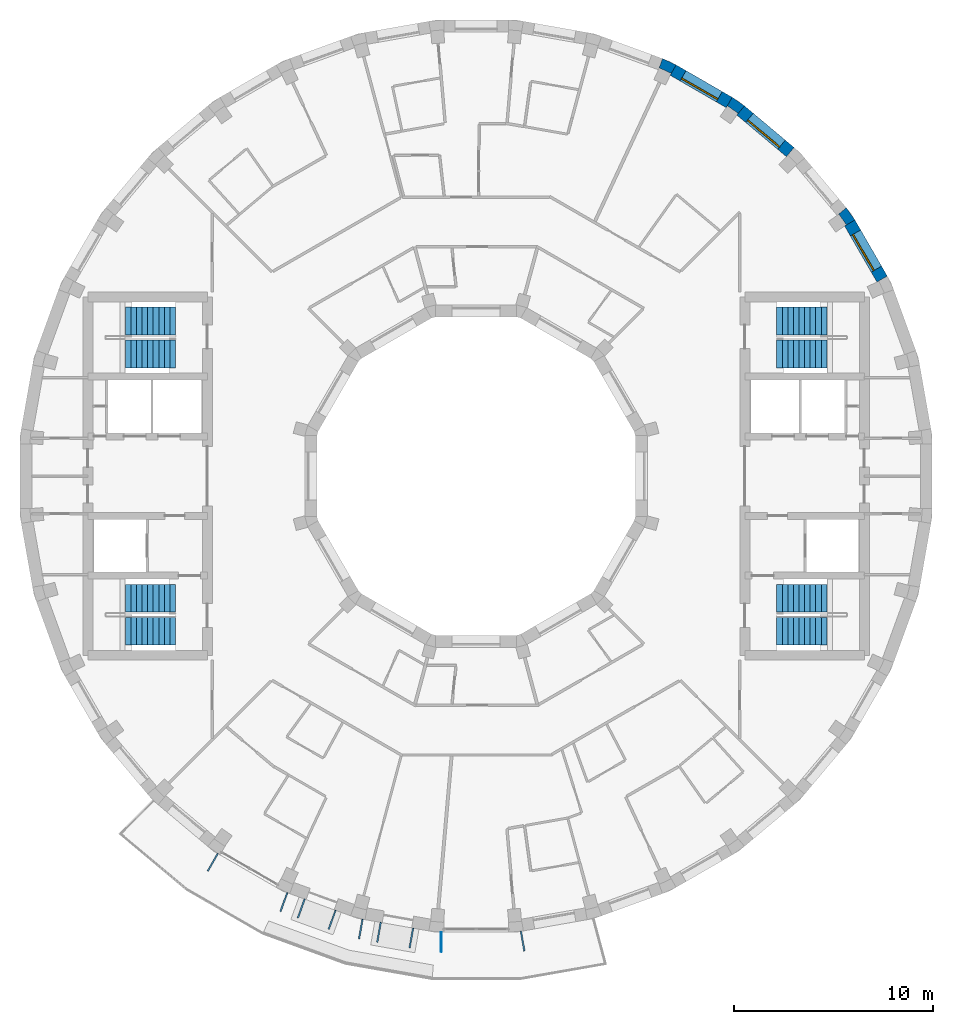
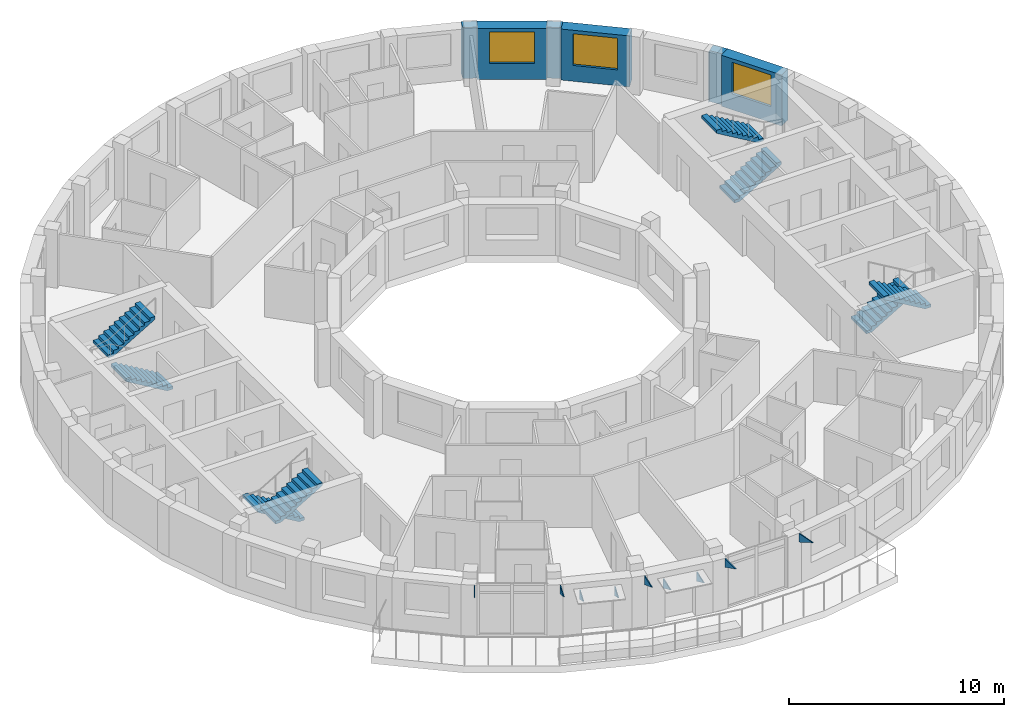
# One storey, part 11 of 12: 9 discrete accessories, 8 stair flights, 6 walls, 3 windows, 3 openings, 4 elements without a shape of their own.
"""IFC4 building model written with IfcOpenShell, lengths in metres."""

from ifc_helpers import new_model, si_unit, direction, frame, frame_2d, origin, place, context, subcontext, project, spatial, polyline, rectangle, outline, extrude, material, layer, layer_set, type_object, element, fill, aggregate, save


model = new_model("IFC4")

# Units and contexts
model_context = context("Model", 3, precision=1e-05, world=origin(), true_north=direction((0.0, 1.0)))
body_context = subcontext(model_context, "Body", "Model", "MODEL_VIEW")
ifc_project = project(units=[si_unit("LENGTHUNIT", "METRE"), si_unit("AREAUNIT", "SQUARE_METRE"), si_unit("VOLUMEUNIT", "CUBIC_METRE"), si_unit("PLANEANGLEUNIT", "RADIAN"), si_unit("MASSUNIT", "GRAM", prefix="KILO")], contexts=[model_context])

# Site, building, storey
site_placement = place(None, origin())
site = spatial("IfcSite", under=ifc_project, at=site_placement, CompositionType="ELEMENT")
building_placement = place(site_placement, origin())
building = spatial("IfcBuilding", under=site, at=building_placement, Name="Saqina Gate Tower", CompositionType="ELEMENT")
storey_placement = place(building_placement, frame((0.0, 0.0, 272.60009765625)))
storey = spatial("IfcBuildingStorey", under=building, at=storey_placement, Name="L78", CompositionType="ELEMENT", Elevation=272.60009765625)

# Walls
ifc_material_1 = material(Name="Brick masonry (buff)", Category="masonry")
wall_type_1 = type_object("IfcWallType", Name="BRICK PIER COPING BUFF", PredefinedType="SOLIDWALL", material=ifc_material_1)
wall_1_placement = place(storey_placement, origin())
element("IfcWall", 1, at=wall_1_placement, inside=storey, type_object=wall_type_1, Name="Pier cap L78 column 4", PredefinedType="SOLIDWALL", context=body_context, shape_type="SweptSolid", body=[
    extrude(outline(polyline([(19.02978515625, 12.8642578125), (18.59716796875, 13.482421875), (18.137451171875, 13.0966796875), (18.22412109375, 13.157470703125), (18.596923828125, 12.625), (18.51025390625, 12.564208984375), (19.02978515625, 12.8642578125)])), origin(), (0.0, 0.0, 1.0), 2.89990234375),
])
wall_2_placement = place(storey_placement, origin())
element("IfcWall", 2, at=wall_2_placement, inside=storey, type_object=wall_type_1, Name="Pier cap L78 column 6", PredefinedType="SOLIDWALL", context=body_context, shape_type="SweptSolid", body=[
    extrude(outline(polyline([(12.8642578125, 19.02978515625), (12.564208984375, 18.51025390625), (12.625, 18.596923828125), (13.157470703125, 18.22412109375), (13.0966796875, 18.137451171875), (13.482421875, 18.59716796875), (12.8642578125, 19.02978515625)])), origin(), (0.0, 0.0, 1.0), 2.89990234375),
])
wall_3_placement = place(storey_placement, origin())
element("IfcWall", 3, at=wall_3_placement, inside=storey, type_object=wall_type_1, Name="Pier cap L78 column 7", PredefinedType="SOLIDWALL", context=body_context, shape_type="SweptSolid", body=[
    extrude(outline(polyline([(10.048095703125, 20.65576171875), (9.3642578125, 20.974609375), (9.1591796875, 20.410888671875), (9.203857421875, 20.506591796875), (9.79296875, 20.23193359375), (9.748291015625, 20.135986328125), (10.048095703125, 20.65576171875)])), origin(), (0.0, 0.0, 1.0), 2.89990234375),
])

# Wall, opening, window
ifc_material_2 = material(Name="Brick masonry (buff)", Category="masonry")
ifc_layer_1 = layer(ifc_material_2, 0.60009765625)
ifc_layer_set_1 = layer_set([ifc_layer_1], Name="FW-BRICK-BUFF")
wall_type_2 = type_object("IfcWallType", Name="FW-BRICK-BUFF", PredefinedType="SOLIDWALL", material=ifc_layer_set_1)
wall_4_placement = place(storey_placement, frame((20.39599609375, 9.898193359375, 0.0), z_axis=(0.0, 0.0, 1.0), x_axis=(-0.500014901547, 0.866016800201, 0.0)))
wall_4 = element("IfcWall", 4, at=wall_4_placement, inside=storey, type_object=wall_type_2, Name="Facade wall L78 facet 3", PredefinedType="SOLIDWALL", context=body_context, shape_type="SweptSolid", body=[
    extrude(rectangle(XDim=3.251953125, YDim=0.60009765625, at=frame_2d((1.6259765625, 0.0))), origin(), (0.0, 0.0, 1.0), 2.89990234375),
])
opening_1_placement = place(wall_4_placement, frame((0.57568359375, 0.0, 0.89990234375)))
opening_1 = element("IfcOpeningElement", 5, at=opening_1_placement, cuts=wall_4, Name="Opening G23-W01", PredefinedType="OPENING", context=body_context, shape_type="SweptSolid", body=[
    extrude(rectangle(XDim=2.10009765625, YDim=1.800048828125, at=frame_2d((1.050048828125, 0.89990234375))), frame((0.0, 0.31201171875, 0.0), z_axis=(0.0, -1.0, 0.0), x_axis=(1.0, 0.0, 0.0)), (0.0, 0.0, 1.0), 0.6240234375),
])
ifc_material_3 = material(Name="Aluminium glazing", Category="aluminium")
window_type = type_object("IfcWindowType", Name="WN-D", PartitioningType="SINGLE_PANEL", PredefinedType="WINDOW", material=ifc_material_3)
window_1_placement = place(opening_1_placement, origin())
window_1 = element("IfcWindow", 6, at=window_1_placement, inside=storey, type_object=window_type, Name="Window L78 facet 3", OverallHeight=1.800048828125, OverallWidth=2.10009765625, PartitioningType="SINGLE_PANEL", PredefinedType="WINDOW", context=body_context, shape_type="SweptSolid", body=[
    extrude(rectangle(XDim=2.10009765625, YDim=1.800048828125, at=frame_2d((1.050048828125, 0.89990234375))), frame((0.0, 0.179931640625, 0.0), z_axis=(0.0, -1.0, 0.0), x_axis=(1.0, 0.0, 0.0)), (0.0, 0.0, 1.0), 0.06005859375),
])
fill(opening_1, window_1)

wall_5_placement = place(storey_placement, frame((15.780517578125, 16.277099609375, 0.0), z_axis=(0.0, 0.0, 1.0), x_axis=(-0.766056773982, 0.64277291405, 0.0)))
wall_5 = element("IfcWall", 7, at=wall_5_placement, inside=storey, type_object=wall_type_2, Name="Facade wall L78 facet 5", PredefinedType="SOLIDWALL", context=body_context, shape_type="SweptSolid", body=[
    extrude(rectangle(XDim=3.251708984375, YDim=0.60009765625, at=frame_2d((1.6259765625, 0.0))), origin(), (0.0, 0.0, 1.0), 2.89990234375),
])
opening_2_placement = place(wall_5_placement, frame((0.57568359375, 0.0, 0.89990234375)))
opening_2 = element("IfcOpeningElement", 8, at=opening_2_placement, cuts=wall_5, Name="Opening G23-W03", PredefinedType="OPENING", context=body_context, shape_type="SweptSolid", body=[
    extrude(rectangle(XDim=2.10009765625, YDim=1.800048828125, at=frame_2d((1.050048828125, 0.89990234375))), frame((0.0, 0.31201171875, 0.0), z_axis=(0.0, -1.0, 0.0), x_axis=(1.0, 0.0, 0.0)), (0.0, 0.0, 1.0), 0.6240234375),
])
window_2_placement = place(opening_2_placement, origin())
window_2 = element("IfcWindow", 9, at=window_2_placement, inside=storey, type_object=window_type, Name="Window L78 facet 5", OverallHeight=1.800048828125, OverallWidth=2.10009765625, PartitioningType="SINGLE_PANEL", PredefinedType="WINDOW", context=body_context, shape_type="SweptSolid", body=[
    extrude(rectangle(XDim=2.10009765625, YDim=1.800048828125, at=frame_2d((1.050048828125, 0.89990234375))), frame((0.0, 0.179931640625, 0.0), z_axis=(0.0, -1.0, 0.0), x_axis=(1.0, 0.0, 0.0)), (0.0, 0.0, 1.0), 0.06005859375),
])
fill(opening_2, window_2)

wall_6_placement = place(storey_placement, frame((12.71435546875, 18.77001953125, 0.0), z_axis=(0.0, 0.0, 1.0), x_axis=(-0.866016800201, 0.500014901547, 0.0)))
wall_6 = element("IfcWall", 10, at=wall_6_placement, inside=storey, type_object=wall_type_2, Name="Facade wall L78 facet 6", PredefinedType="SOLIDWALL", context=body_context, shape_type="SweptSolid", body=[
    extrude(rectangle(XDim=3.251953125, YDim=0.60009765625, at=frame_2d((1.6259765625, 0.0))), origin(), (0.0, 0.0, 1.0), 2.89990234375),
])
opening_3_placement = place(wall_6_placement, frame((0.57568359375, 0.0, 0.89990234375)))
opening_3 = element("IfcOpeningElement", 11, at=opening_3_placement, cuts=wall_6, Name="Opening G23-W04", PredefinedType="OPENING", context=body_context, shape_type="SweptSolid", body=[
    extrude(rectangle(XDim=2.10009765625, YDim=1.800048828125, at=frame_2d((1.050048828125, 0.89990234375))), frame((0.0, 0.31201171875, 0.0), z_axis=(0.0, -1.0, 0.0), x_axis=(1.0, 0.0, 0.0)), (0.0, 0.0, 1.0), 0.6240234375),
])
window_3_placement = place(opening_3_placement, origin())
window_3 = element("IfcWindow", 12, at=window_3_placement, inside=storey, type_object=window_type, Name="Window L78 facet 6", OverallHeight=1.800048828125, OverallWidth=2.10009765625, PartitioningType="SINGLE_PANEL", PredefinedType="WINDOW", context=body_context, shape_type="SweptSolid", body=[
    extrude(rectangle(XDim=2.10009765625, YDim=1.800048828125, at=frame_2d((1.050048828125, 0.89990234375))), frame((0.0, 0.179931640625, 0.0), z_axis=(0.0, -1.0, 0.0), x_axis=(1.0, 0.0, 0.0)), (0.0, 0.0, 1.0), 0.06005859375),
])
fill(opening_3, window_3)

# Stair, stair flights
ifc_material_4 = material(Name="Concrete C40/50", Category="concrete")
stair_type = type_object("IfcStairType", Name="EXIT STAIR", PredefinedType="HALF_TURN_STAIR", material=ifc_material_4)
stair_1_placement = place(storey_placement, origin())
stair_1 = element("IfcStair", 13, at=stair_1_placement, inside=storey, type_object=stair_type, Name="EXIT STAIR 1", PredefinedType="HALF_TURN_STAIR")
ifc_material_5 = material(Name="Concrete C40/50", Category="concrete")
stair_flight_type = type_object("IfcStairFlightType", Name="EXIT STAIR FLIGHT", PredefinedType="STRAIGHT", material=ifc_material_5)
stair_flight_1_placement = place(storey_placement, frame((15.10009765625, 6.13330078125, 0.0), z_axis=(0.0, 0.0, 1.0), x_axis=(1.0, 0.0, 0.0)))
stair_flight_1 = element("IfcStairFlight", 14, at=stair_flight_1_placement, type_object=stair_flight_type, Name="EXIT STAIR 1 FLIGHT 1", NumberOfRisers=10, NumberOfTreads=9, PredefinedType="STRAIGHT", RiserHeight=0.165, TreadLength=0.28, context=body_context, shape_type="SweptSolid", body=[
    extrude(outline(polyline([(0.0, 0.0), (0.0, 0.1650390625), (0.280029296875, 0.1650390625), (0.280029296875, 0.330078125), (0.56005859375, 0.330078125), (0.56005859375, 0.4951171875), (0.840087890625, 0.4951171875), (0.840087890625, 0.659912109375), (1.1201171875, 0.659912109375), (1.1201171875, 0.824951171875), (1.39990234375, 0.824951171875), (1.39990234375, 0.989990234375), (1.679931640625, 0.989990234375), (1.679931640625, 1.155029296875), (1.9599609375, 1.155029296875), (1.9599609375, 1.320068359375), (2.239990234375, 1.320068359375), (2.239990234375, 1.485107421875), (2.52001953125, 1.485107421875), (2.52001953125, 1.64990234375), (2.52001953125, 1.31103515625), (0.295166015625, 0.0), (0.0, 0.0)])), frame((0.0, 0.699951171875, 0.0), z_axis=(0.0, -1.0, 0.0), x_axis=(1.0, 0.0, 0.0)), (0.0, 0.0, 1.0), 1.39990234375),
])
stair_flight_2_placement = place(storey_placement, frame((17.6201171875, 7.791748046875, 1.64990234375), z_axis=(0.0, 0.0, 1.0), x_axis=(-1.0, 0.0, 0.0)))
stair_flight_2 = element("IfcStairFlight", 15, at=stair_flight_2_placement, type_object=stair_flight_type, Name="EXIT STAIR 1 FLIGHT 2", NumberOfRisers=10, NumberOfTreads=9, PredefinedType="STRAIGHT", RiserHeight=0.165, TreadLength=0.28, context=body_context, shape_type="SweptSolid", body=[
    extrude(outline(polyline([(0.0, 0.0), (0.0, 0.1650390625), (0.280029296875, 0.1650390625), (0.280029296875, 0.330078125), (0.56005859375, 0.330078125), (0.56005859375, 0.4951171875), (0.840087890625, 0.4951171875), (0.840087890625, 0.659912109375), (1.1201171875, 0.659912109375), (1.1201171875, 0.824951171875), (1.39990234375, 0.824951171875), (1.39990234375, 0.989990234375), (1.679931640625, 0.989990234375), (1.679931640625, 1.155029296875), (1.9599609375, 1.155029296875), (1.9599609375, 1.320068359375), (2.239990234375, 1.320068359375), (2.239990234375, 1.485107421875), (2.52001953125, 1.485107421875), (2.52001953125, 1.64990234375), (2.52001953125, 1.31103515625), (0.295166015625, 0.0), (0.0, 0.0)])), frame((0.0, 0.699951171875, 0.0), z_axis=(0.0, -1.0, 0.0), x_axis=(1.0, 0.0, 0.0)), (0.0, 0.0, 1.0), 1.39990234375),
])
aggregate(stair_1, [stair_flight_1, stair_flight_2])

stair_2_placement = place(storey_placement, origin())
stair_2 = element("IfcStair", 16, at=stair_2_placement, inside=storey, type_object=stair_type, Name="EXIT STAIR 2", PredefinedType="HALF_TURN_STAIR")
stair_flight_3_placement = place(storey_placement, frame((15.10009765625, -6.13330078125, 0.0), z_axis=(0.0, 0.0, 1.0), x_axis=(1.0, 0.0, 0.0)))
stair_flight_3 = element("IfcStairFlight", 17, at=stair_flight_3_placement, type_object=stair_flight_type, Name="EXIT STAIR 2 FLIGHT 1", NumberOfRisers=10, NumberOfTreads=9, PredefinedType="STRAIGHT", RiserHeight=0.165, TreadLength=0.28, context=body_context, shape_type="SweptSolid", body=[
    extrude(outline(polyline([(0.0, 0.0), (0.0, 0.1650390625), (0.280029296875, 0.1650390625), (0.280029296875, 0.330078125), (0.56005859375, 0.330078125), (0.56005859375, 0.4951171875), (0.840087890625, 0.4951171875), (0.840087890625, 0.659912109375), (1.1201171875, 0.659912109375), (1.1201171875, 0.824951171875), (1.39990234375, 0.824951171875), (1.39990234375, 0.989990234375), (1.679931640625, 0.989990234375), (1.679931640625, 1.155029296875), (1.9599609375, 1.155029296875), (1.9599609375, 1.320068359375), (2.239990234375, 1.320068359375), (2.239990234375, 1.485107421875), (2.52001953125, 1.485107421875), (2.52001953125, 1.64990234375), (2.52001953125, 1.31103515625), (0.295166015625, 0.0), (0.0, 0.0)])), frame((0.0, 0.699951171875, 0.0), z_axis=(0.0, -1.0, 0.0), x_axis=(1.0, 0.0, 0.0)), (0.0, 0.0, 1.0), 1.39990234375),
])
stair_flight_4_placement = place(storey_placement, frame((17.6201171875, -7.791748046875, 1.64990234375), z_axis=(0.0, 0.0, 1.0), x_axis=(-1.0, 0.0, 0.0)))
stair_flight_4 = element("IfcStairFlight", 18, at=stair_flight_4_placement, type_object=stair_flight_type, Name="EXIT STAIR 2 FLIGHT 2", NumberOfRisers=10, NumberOfTreads=9, PredefinedType="STRAIGHT", RiserHeight=0.165, TreadLength=0.28, context=body_context, shape_type="SweptSolid", body=[
    extrude(outline(polyline([(0.0, 0.0), (0.0, 0.1650390625), (0.280029296875, 0.1650390625), (0.280029296875, 0.330078125), (0.56005859375, 0.330078125), (0.56005859375, 0.4951171875), (0.840087890625, 0.4951171875), (0.840087890625, 0.659912109375), (1.1201171875, 0.659912109375), (1.1201171875, 0.824951171875), (1.39990234375, 0.824951171875), (1.39990234375, 0.989990234375), (1.679931640625, 0.989990234375), (1.679931640625, 1.155029296875), (1.9599609375, 1.155029296875), (1.9599609375, 1.320068359375), (2.239990234375, 1.320068359375), (2.239990234375, 1.485107421875), (2.52001953125, 1.485107421875), (2.52001953125, 1.64990234375), (2.52001953125, 1.31103515625), (0.295166015625, 0.0), (0.0, 0.0)])), frame((0.0, 0.699951171875, 0.0), z_axis=(0.0, -1.0, 0.0), x_axis=(1.0, 0.0, 0.0)), (0.0, 0.0, 1.0), 1.39990234375),
])
aggregate(stair_2, [stair_flight_3, stair_flight_4])

stair_3_placement = place(storey_placement, origin())
stair_3 = element("IfcStair", 19, at=stair_3_placement, inside=storey, type_object=stair_type, Name="EXIT STAIR 3", PredefinedType="HALF_TURN_STAIR")
stair_flight_5_placement = place(storey_placement, frame((-15.10009765625, 6.13330078125, 0.0), z_axis=(0.0, 0.0, 1.0), x_axis=(-1.0, 0.0, 0.0)))
stair_flight_5 = element("IfcStairFlight", 20, at=stair_flight_5_placement, type_object=stair_flight_type, Name="EXIT STAIR 3 FLIGHT 1", NumberOfRisers=10, NumberOfTreads=9, PredefinedType="STRAIGHT", RiserHeight=0.165, TreadLength=0.28, context=body_context, shape_type="SweptSolid", body=[
    extrude(outline(polyline([(0.0, 0.0), (0.0, 0.1650390625), (0.280029296875, 0.1650390625), (0.280029296875, 0.330078125), (0.56005859375, 0.330078125), (0.56005859375, 0.4951171875), (0.840087890625, 0.4951171875), (0.840087890625, 0.659912109375), (1.1201171875, 0.659912109375), (1.1201171875, 0.824951171875), (1.39990234375, 0.824951171875), (1.39990234375, 0.989990234375), (1.679931640625, 0.989990234375), (1.679931640625, 1.155029296875), (1.9599609375, 1.155029296875), (1.9599609375, 1.320068359375), (2.239990234375, 1.320068359375), (2.239990234375, 1.485107421875), (2.52001953125, 1.485107421875), (2.52001953125, 1.64990234375), (2.52001953125, 1.31103515625), (0.295166015625, 0.0), (0.0, 0.0)])), frame((0.0, 0.699951171875, 0.0), z_axis=(0.0, -1.0, 0.0), x_axis=(1.0, 0.0, 0.0)), (0.0, 0.0, 1.0), 1.39990234375),
])
stair_flight_6_placement = place(storey_placement, frame((-17.6201171875, 7.791748046875, 1.64990234375), z_axis=(0.0, 0.0, 1.0), x_axis=(1.0, 0.0, 0.0)))
stair_flight_6 = element("IfcStairFlight", 21, at=stair_flight_6_placement, type_object=stair_flight_type, Name="EXIT STAIR 3 FLIGHT 2", NumberOfRisers=10, NumberOfTreads=9, PredefinedType="STRAIGHT", RiserHeight=0.165, TreadLength=0.28, context=body_context, shape_type="SweptSolid", body=[
    extrude(outline(polyline([(0.0, 0.0), (0.0, 0.1650390625), (0.280029296875, 0.1650390625), (0.280029296875, 0.330078125), (0.56005859375, 0.330078125), (0.56005859375, 0.4951171875), (0.840087890625, 0.4951171875), (0.840087890625, 0.659912109375), (1.1201171875, 0.659912109375), (1.1201171875, 0.824951171875), (1.39990234375, 0.824951171875), (1.39990234375, 0.989990234375), (1.679931640625, 0.989990234375), (1.679931640625, 1.155029296875), (1.9599609375, 1.155029296875), (1.9599609375, 1.320068359375), (2.239990234375, 1.320068359375), (2.239990234375, 1.485107421875), (2.52001953125, 1.485107421875), (2.52001953125, 1.64990234375), (2.52001953125, 1.31103515625), (0.295166015625, 0.0), (0.0, 0.0)])), frame((0.0, 0.699951171875, 0.0), z_axis=(0.0, -1.0, 0.0), x_axis=(1.0, 0.0, 0.0)), (0.0, 0.0, 1.0), 1.39990234375),
])
aggregate(stair_3, [stair_flight_5, stair_flight_6])

stair_4_placement = place(storey_placement, origin())
stair_4 = element("IfcStair", 22, at=stair_4_placement, inside=storey, type_object=stair_type, Name="EXIT STAIR 4", PredefinedType="HALF_TURN_STAIR")
stair_flight_7_placement = place(storey_placement, frame((-15.10009765625, -6.13330078125, 0.0), z_axis=(0.0, 0.0, 1.0), x_axis=(-1.0, 0.0, 0.0)))
stair_flight_7 = element("IfcStairFlight", 23, at=stair_flight_7_placement, type_object=stair_flight_type, Name="EXIT STAIR 4 FLIGHT 1", NumberOfRisers=10, NumberOfTreads=9, PredefinedType="STRAIGHT", RiserHeight=0.165, TreadLength=0.28, context=body_context, shape_type="SweptSolid", body=[
    extrude(outline(polyline([(0.0, 0.0), (0.0, 0.1650390625), (0.280029296875, 0.1650390625), (0.280029296875, 0.330078125), (0.56005859375, 0.330078125), (0.56005859375, 0.4951171875), (0.840087890625, 0.4951171875), (0.840087890625, 0.659912109375), (1.1201171875, 0.659912109375), (1.1201171875, 0.824951171875), (1.39990234375, 0.824951171875), (1.39990234375, 0.989990234375), (1.679931640625, 0.989990234375), (1.679931640625, 1.155029296875), (1.9599609375, 1.155029296875), (1.9599609375, 1.320068359375), (2.239990234375, 1.320068359375), (2.239990234375, 1.485107421875), (2.52001953125, 1.485107421875), (2.52001953125, 1.64990234375), (2.52001953125, 1.31103515625), (0.295166015625, 0.0), (0.0, 0.0)])), frame((0.0, 0.699951171875, 0.0), z_axis=(0.0, -1.0, 0.0), x_axis=(1.0, 0.0, 0.0)), (0.0, 0.0, 1.0), 1.39990234375),
])
stair_flight_8_placement = place(storey_placement, frame((-17.6201171875, -7.791748046875, 1.64990234375), z_axis=(0.0, 0.0, 1.0), x_axis=(1.0, 0.0, 0.0)))
stair_flight_8 = element("IfcStairFlight", 24, at=stair_flight_8_placement, type_object=stair_flight_type, Name="EXIT STAIR 4 FLIGHT 2", NumberOfRisers=10, NumberOfTreads=9, PredefinedType="STRAIGHT", RiserHeight=0.165, TreadLength=0.28, context=body_context, shape_type="SweptSolid", body=[
    extrude(outline(polyline([(0.0, 0.0), (0.0, 0.1650390625), (0.280029296875, 0.1650390625), (0.280029296875, 0.330078125), (0.56005859375, 0.330078125), (0.56005859375, 0.4951171875), (0.840087890625, 0.4951171875), (0.840087890625, 0.659912109375), (1.1201171875, 0.659912109375), (1.1201171875, 0.824951171875), (1.39990234375, 0.824951171875), (1.39990234375, 0.989990234375), (1.679931640625, 0.989990234375), (1.679931640625, 1.155029296875), (1.9599609375, 1.155029296875), (1.9599609375, 1.320068359375), (2.239990234375, 1.320068359375), (2.239990234375, 1.485107421875), (2.52001953125, 1.485107421875), (2.52001953125, 1.64990234375), (2.52001953125, 1.31103515625), (0.295166015625, 0.0), (0.0, 0.0)])), frame((0.0, 0.699951171875, 0.0), z_axis=(0.0, -1.0, 0.0), x_axis=(1.0, 0.0, 0.0)), (0.0, 0.0, 1.0), 1.39990234375),
])
aggregate(stair_4, [stair_flight_7, stair_flight_8])

# Discrete accessories
ifc_material_6 = material(Name="Galvanised steel", Category="steel")
ifc_layer_2 = layer(ifc_material_6, 0.050048828125)
ifc_layer_set_2 = layer_set([ifc_layer_2], Name="BR-AWNING")
discrete_accessory_type_1 = type_object("IfcDiscreteAccessoryType", Name="BR-AWNING", PredefinedType="BRACKET", material=ifc_layer_set_2)
discrete_accessory_1_placement = place(storey_placement, frame((-8.589111328125, -21.2568359375, 1.974853515625), z_axis=(0.939686455819, -0.342037080957, 0.0), x_axis=(0.0, 0.0, 1.0)))
element("IfcDiscreteAccessory", 25, at=discrete_accessory_1_placement, inside=storey, type_object=discrete_accessory_type_1, Name="Awning bracket L78 facet 25", PredefinedType="BRACKET", context=body_context, shape_type="SweptSolid", body=[
    extrude(outline(polyline([(0.0, 0.0), (0.550048828125, 0.0), (0.550048828125, 1.000011503630275), (0.0, 0.0)])), origin(), (0.0, 0.0, -1.0), 0.050048828125),
])
discrete_accessory_2_placement = place(storey_placement, frame((-7.037109375, -21.82177734375, 1.974853515625), z_axis=(0.939764905391, -0.341821477669, 0.0), x_axis=(0.0, 0.0, 1.0)))
element("IfcDiscreteAccessory", 26, at=discrete_accessory_2_placement, inside=storey, type_object=discrete_accessory_type_1, Name="Awning bracket L78 facet 25", PredefinedType="BRACKET", context=body_context, shape_type="SweptSolid", body=[
    extrude(outline(polyline([(0.0, 0.0), (0.550048828125, 0.0), (0.550048828125, 0.9999280248012192), (0.0, 0.0)])), origin(), (0.0, 0.0, -1.0), 0.050048828125),
])
for number, where, z_axis, x_axis, name in (
    (27, (-4.767333984375, -22.42529296875, 1.974853515625), (0.984820401928, -0.173576426815, 0.0), (0.0, 0.0, 1.0), "Awning bracket L78 facet 26"),
    (28, (-3.140869140625, -22.712158203125, 1.974853515625), (0.984820401928, -0.173576426815, 0.0), (0.0, 0.0, 1.0), "Awning bracket L78 facet 26"),
):
    element("IfcDiscreteAccessory", number, at=place(storey_placement, frame(where, z_axis=z_axis, x_axis=x_axis)), inside=storey, type_object=discrete_accessory_type_1, Name=name, PredefinedType="BRACKET", context=body_context, shape_type="SweptSolid", body=[
        extrude(outline(polyline([(0.0, 0.0), (0.550048828125, 0.0), (0.550048828125, 1.000043540245132), (0.0, 0.0)])), origin(), (0.0, 0.0, -1.0), 0.050048828125),
    ])
ifc_material_7 = material(Name="Galvanised steel", Category="steel")
ifc_layer_3 = layer(ifc_material_7, 0.050048828125)
ifc_layer_set_3 = layer_set([ifc_layer_3], Name="BR-GUSSET")
discrete_accessory_type_2 = type_object("IfcDiscreteAccessoryType", Name="BR-GUSSET", PredefinedType="BRACKET", material=ifc_layer_set_3)
discrete_accessory_3_placement = place(storey_placement, frame((-12.9541015625, -18.97802734375, 2.39990234375), z_axis=(0.866010750942, -0.50002537861, 0.0), x_axis=(0.0, 0.0, 1.0)))
element("IfcDiscreteAccessory", 29, at=discrete_accessory_3_placement, inside=storey, type_object=discrete_accessory_type_2, Name="Terrace slab bracket L79 1", PredefinedType="BRACKET", context=body_context, shape_type="SweptSolid", body=[
    extrude(outline(polyline([(0.0, 0.0), (0.5, 0.0), (0.5, 0.9999492453569568), (0.0, 0.0)])), origin(), (0.0, 0.0, -1.0), 0.050048828125),
])
discrete_accessory_4_placement = place(storey_placement, frame((-9.4619140625, -20.939208984375, 2.39990234375), z_axis=(0.939764905391, -0.341821477669, 0.0), x_axis=(0.0, 0.0, 1.0)))
element("IfcDiscreteAccessory", 30, at=discrete_accessory_4_placement, inside=storey, type_object=discrete_accessory_type_2, Name="Terrace slab bracket L79 2", PredefinedType="BRACKET", context=body_context, shape_type="SweptSolid", body=[
    extrude(outline(polyline([(0.0, 0.0), (0.5, 0.0), (0.5, 0.999928024801219), (0.0, 0.0)])), origin(), (0.0, 0.0, -1.0), 0.050048828125),
])
discrete_accessory_5_placement = place(storey_placement, frame((-5.681884765625, -22.263916015625, 2.39990234375), z_axis=(0.984778643263, -0.173813186416, 0.0), x_axis=(0.0, 0.0, 1.0)))
element("IfcDiscreteAccessory", 31, at=discrete_accessory_5_placement, inside=storey, type_object=discrete_accessory_type_2, Name="Terrace slab bracket L79 3", PredefinedType="BRACKET", context=body_context, shape_type="SweptSolid", body=[
    extrude(outline(polyline([(0.0, 0.0), (0.5, 0.0), (0.5, 1.000085946204391), (0.0, 0.0)])), origin(), (0.0, 0.0, -1.0), 0.050048828125),
])
discrete_accessory_6_placement = place(storey_placement, frame((-1.7294921875, -22.91259765625, 2.39990234375), z_axis=(1.0, 0.0, 0.0), x_axis=(0.0, 0.0, 1.0)))
element("IfcDiscreteAccessory", 32, at=discrete_accessory_6_placement, inside=storey, type_object=discrete_accessory_type_2, Name="Terrace slab bracket L79 4", PredefinedType="BRACKET", context=body_context, shape_type="SweptSolid", body=[
    extrude(outline(polyline([(0.0, 0.0), (0.5, 0.0), (0.5, 1.0), (0.0, 0.0)])), origin(), (0.0, 0.0, -1.0), 0.050048828125),
])
discrete_accessory_7_placement = place(storey_placement, frame((2.275390625, -22.86474609375, 2.39990234375), z_axis=(0.984778643263, 0.173813186416, 0.0), x_axis=(0.0, 0.0, 1.0)))
element("IfcDiscreteAccessory", 33, at=discrete_accessory_7_placement, inside=storey, type_object=discrete_accessory_type_2, Name="Terrace slab bracket L79 5", PredefinedType="BRACKET", context=body_context, shape_type="SweptSolid", body=[
    extrude(outline(polyline([(0.0, 0.0), (0.5, 0.0), (0.5, 1.000085946204391), (0.0, 0.0)])), origin(), (0.0, 0.0, -1.0), 0.050048828125),
])

save(model, "model.ifc")
